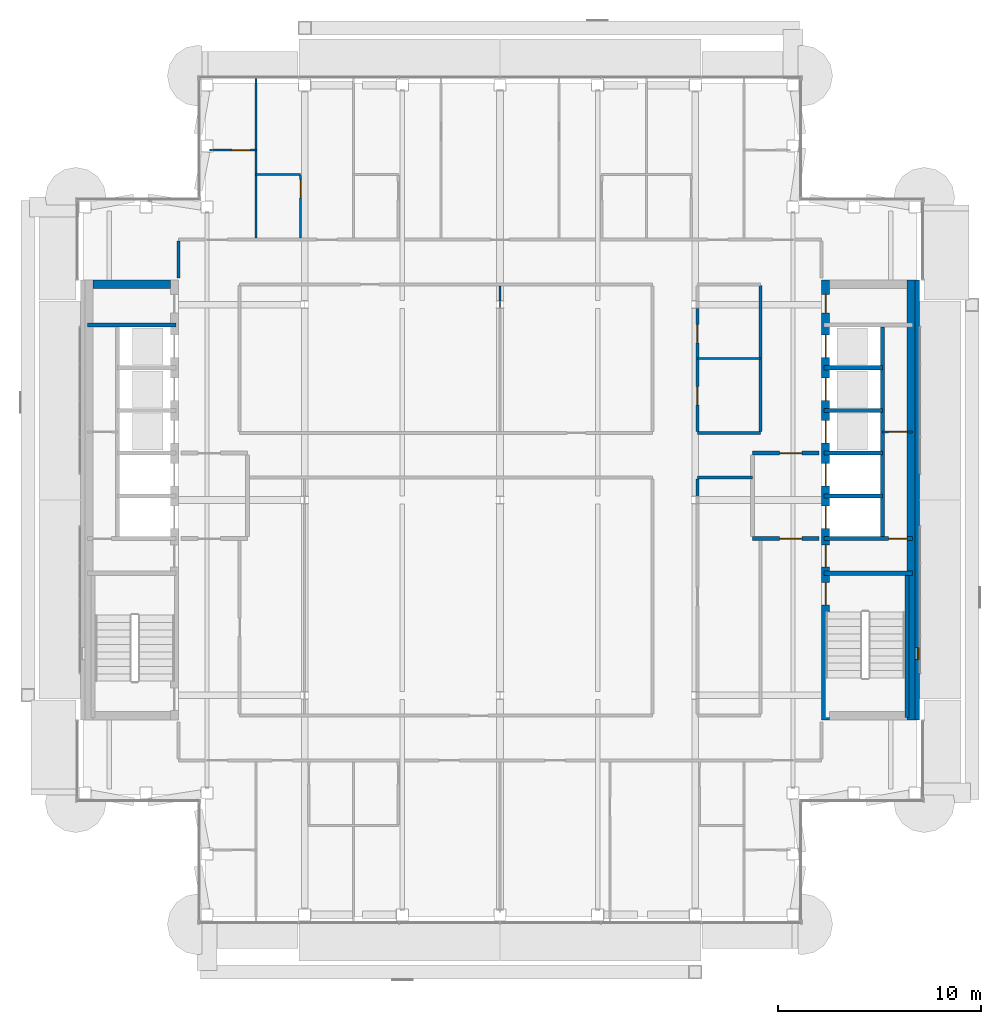
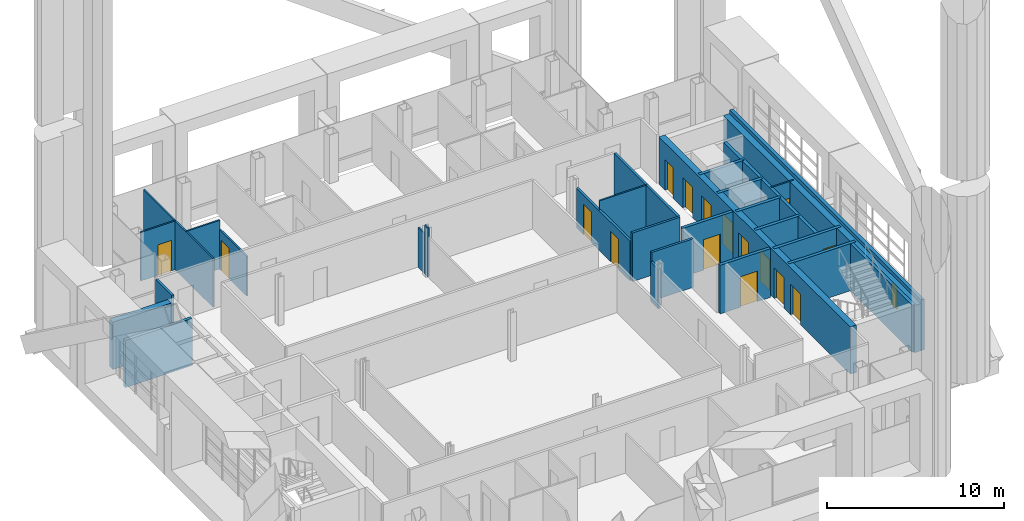
# One storey, part 15 of 29: 29 walls, 16 doors, 1 window, 17 openings.
"""IFC4 building model written with IfcOpenShell, lengths in metres."""

from ifc_helpers import new_model, si_unit, direction, frame, frame_2d, origin, place, context, subcontext, project, spatial, rectangle, extrude, material, layer, layer_set, type_object, element, fill, save


model = new_model("IFC4")

# Units and contexts
model_context = context("Model", 3, precision=1e-05, world=origin(), true_north=direction((0.0, 1.0)))
body_context = subcontext(model_context, "Body", "Model", "MODEL_VIEW")
ifc_project = project(units=[si_unit("LENGTHUNIT", "METRE"), si_unit("AREAUNIT", "SQUARE_METRE"), si_unit("VOLUMEUNIT", "CUBIC_METRE"), si_unit("PLANEANGLEUNIT", "RADIAN"), si_unit("MASSUNIT", "GRAM", prefix="KILO")], contexts=[model_context])

# Site, building, storey
site_placement = place(None, origin())
site = spatial("IfcSite", under=ifc_project, at=site_placement, CompositionType="ELEMENT")
building_placement = place(site_placement, origin())
building = spatial("IfcBuilding", under=site, at=building_placement, Name="Cobrizo Arcos Hotel Tower", CompositionType="ELEMENT")
storey_placement = place(building_placement, frame((0.0, 0.0, 241.0)))
storey = spatial("IfcBuildingStorey", under=building, at=storey_placement, Name="L63", CompositionType="ELEMENT", Elevation=241.0)

# Walls
ifc_material_1 = material(Name="Gypsum board partition")
ifc_layer_1 = layer(ifc_material_1, 0.14990234375)
ifc_layer_set_1 = layer_set([ifc_layer_1], Name="Corridor wall EI 60 150")
wall_type_1 = type_object("IfcWallType", Name="Corridor wall EI 60 150", PredefinedType="PARTITIONING", material=ifc_layer_set_1)
wall_1_placement = place(storey_placement, frame((9.699951171875, 1.10009765625, 0.0), z_axis=(0.0, 0.0, 1.0), x_axis=(1.0, 0.0, 0.0)))
element("IfcWall", 1, at=wall_1_placement, inside=storey, type_object=wall_type_1, Name="Partition 017", PredefinedType="PARTITIONING", context=body_context, shape_type="SweptSolid", body=[
    extrude(rectangle(XDim=2.699951171875, YDim=0.14990234375, at=frame_2d((1.35009765625, 0.0))), origin(), (0.0, 0.0, 1.0), 3.35009765625),
])
wall_2_placement = place(storey_placement, frame((9.699951171875, 3.300048828125, 0.0), z_axis=(0.0, 0.0, 1.0), x_axis=(1.0, 0.0, 0.0)))
element("IfcWall", 2, at=wall_2_placement, inside=storey, type_object=wall_type_1, Name="Partition 023", PredefinedType="PARTITIONING", context=body_context, shape_type="SweptSolid", body=[
    extrude(rectangle(XDim=3.10009765625, YDim=0.14990234375, at=frame_2d((1.550048828125, 0.0))), origin(), (0.0, 0.0, 1.0), 3.35009765625),
])
wall_3_placement = place(storey_placement, frame((-15.800048828125, 10.919921875, 0.0), z_axis=(0.0, 0.0, 1.0), x_axis=(0.0, 1.0, 0.0)))
element("IfcWall", 3, at=wall_3_placement, inside=storey, type_object=wall_type_1, Name="Partition 044", PredefinedType="PARTITIONING", context=body_context, shape_type="SweptSolid", body=[
    extrude(rectangle(XDim=1.80517578125, YDim=0.14990234375, at=frame_2d((0.902587890625, 0.0))), origin(), (0.0, 0.0, 1.0), 3.35009765625),
])
wall_4_placement = place(storey_placement, frame((9.699951171875, 0.18408203125, 0.0), z_axis=(0.0, 0.0, 1.0), x_axis=(0.0, 1.0, 0.0)))
element("IfcWall", 4, at=wall_4_placement, inside=storey, type_object=wall_type_1, Name="Partition 079", PredefinedType="PARTITIONING", context=body_context, shape_type="SweptSolid", body=[
    extrude(rectangle(XDim=0.8408203125, YDim=0.14990234375, at=frame_2d((0.42041015625, 0.0))), origin(), (0.0, 0.0, 1.0), 2.72802734375),
])

# Wall, openings, doors
wall_5_placement = place(storey_placement, frame((9.699951171875, 3.375, 0.0), z_axis=(0.0, 0.0, 1.0), x_axis=(0.0, 1.0, 0.0)))
wall_5 = element("IfcWall", 5, at=wall_5_placement, inside=storey, type_object=wall_type_1, Name="Partition 080", PredefinedType="PARTITIONING", context=body_context, shape_type="SweptSolid", body=[
    extrude(rectangle(XDim=6.041015625, YDim=0.14990234375, at=frame_2d((3.0205078125, 0.0))), origin(), (0.0, 0.0, 1.0), 2.72802734375),
])
opening_1_placement = place(wall_5_placement, frame((1.300048828125, 0.0, 0.0)))
opening_1 = element("IfcOpeningElement", 6, at=opening_1_placement, cuts=wall_5, Name="Opening ED-12", PredefinedType="OPENING", context=body_context, shape_type="SweptSolid", body=[
    extrude(rectangle(XDim=0.89990234375, YDim=2.10009765625, at=frame_2d((0.449951171875, 1.050048828125))), frame((0.0, 0.0869140625, 0.0), z_axis=(0.0, -1.0, 0.0), x_axis=(1.0, 0.0, 0.0)), (0.0, 0.0, 1.0), 0.173828125),
])
opening_2_placement = place(wall_5_placement, frame((4.35009765625, 0.0, 0.0)))
opening_2 = element("IfcOpeningElement", 7, at=opening_2_placement, cuts=wall_5, Name="Opening ED-13", PredefinedType="OPENING", context=body_context, shape_type="SweptSolid", body=[
    extrude(rectangle(XDim=0.89990234375, YDim=2.10009765625, at=frame_2d((0.449951171875, 1.050048828125))), frame((0.0, 0.0869140625, 0.0), z_axis=(0.0, -1.0, 0.0), x_axis=(1.0, 0.0, 0.0)), (0.0, 0.0, 1.0), 0.173828125),
])
ifc_material_2 = material(Name="Timber door leaf", Category="wood")
door_type_1 = type_object("IfcDoorType", Name="En-suite door 900x2100", OperationType="SINGLE_SWING_LEFT", PredefinedType="DOOR", material=ifc_material_2)
door_1_placement = place(opening_1_placement, origin())
door_1 = element("IfcDoor", 8, at=door_1_placement, inside=storey, type_object=door_type_1, Name="Door ED-12", OperationType="SINGLE_SWING_LEFT", OverallHeight=2.10009765625, OverallWidth=0.89990234375, PredefinedType="DOOR", context=body_context, shape_type="SweptSolid", body=[
    extrude(rectangle(XDim=0.89990234375, YDim=2.10009765625, at=frame_2d((0.449951171875, 1.050048828125))), frame((0.0, 0.02490234375, 0.0), z_axis=(0.0, -1.0, 0.0), x_axis=(1.0, 0.0, 0.0)), (0.0, 0.0, 1.0), 0.050048828125),
])
fill(opening_1, door_1)
door_2_placement = place(opening_2_placement, origin())
door_2 = element("IfcDoor", 9, at=door_2_placement, inside=storey, type_object=door_type_1, Name="Door ED-13", OperationType="SINGLE_SWING_RIGHT", OverallHeight=2.10009765625, OverallWidth=0.89990234375, PredefinedType="DOOR", context=body_context, shape_type="SweptSolid", body=[
    extrude(rectangle(XDim=0.89990234375, YDim=2.10009765625, at=frame_2d((0.449951171875, 1.050048828125))), frame((0.0, 0.02490234375, 0.0), z_axis=(0.0, -1.0, 0.0), x_axis=(1.0, 0.0, 0.0)), (0.0, 0.0, 1.0), 0.050048828125),
])
fill(opening_2, door_2)

# Wall
wall_6_placement = place(storey_placement, frame((12.800048828125, 3.375, 0.0), z_axis=(0.0, 0.0, 1.0), x_axis=(0.0, 1.0, 0.0)))
element("IfcWall", 10, at=wall_6_placement, inside=storey, type_object=wall_type_1, Name="Partition 088", PredefinedType="PARTITIONING", context=body_context, shape_type="SweptSolid", body=[
    extrude(rectangle(XDim=7.175048828125, YDim=0.14990234375, at=frame_2d((3.58740234375, 0.0))), origin(), (0.0, 0.0, 1.0), 3.35009765625),
])

# Wall, opening, window
ifc_material_3 = material(Name="Aluminium composite panel pale metal", Category="aluminium")
ifc_layer_2 = layer(ifc_material_3, 0.22509765625)
ifc_layer_set_2 = layer_set([ifc_layer_2], Name="EW-1 insulated panel wall 225")
wall_type_2 = type_object("IfcWallType", Name="EW-1 insulated panel wall 225", PredefinedType="SOLIDWALL", material=ifc_layer_set_2)
wall_7_placement = place(storey_placement, frame((20.512451171875, -10.800048828125, 0.0), z_axis=(0.0, 0.0, 1.0), x_axis=(0.0, 1.0, 0.0)))
wall_7 = element("IfcWall", 11, at=wall_7_placement, inside=storey, type_object=wall_type_2, Name="Core face wall L63 E", PredefinedType="SOLIDWALL", context=body_context, shape_type="SweptSolid", body=[
    extrude(rectangle(XDim=21.60009765625, YDim=0.22509765625, at=frame_2d((10.800048828125, 0.0))), origin(), (0.0, 0.0, 1.0), 3.5),
])
opening_3_placement = place(wall_7_placement, frame((2.949951171875, 0.0, 1.0)))
opening_3 = element("IfcOpeningElement", 12, at=opening_3_placement, cuts=wall_7, Name="Opening W-145", PredefinedType="OPENING", context=body_context, shape_type="SweptSolid", body=[
    extrude(rectangle(XDim=0.60009765625, YDim=1.5, at=frame_2d((0.300048828125, 0.75))), frame((0.0, 0.12451171875, 0.0), z_axis=(0.0, -1.0, 0.0), x_axis=(1.0, 0.0, 0.0)), (0.0, 0.0, 1.0), 0.2490234375),
])
ifc_material_4 = material(Name="Aluminium 6063-T6 and clear laminated glass", Category="aluminium")
window_type = type_object("IfcWindowType", Name="W-C1 core stair slot window 600x1500", PartitioningType="SINGLE_PANEL", PredefinedType="WINDOW", material=ifc_material_4)
window_placement = place(opening_3_placement, origin())
window = element("IfcWindow", 13, at=window_placement, inside=storey, type_object=window_type, Name="Core face wall L63 E window W-145", OverallHeight=1.5, OverallWidth=0.60009765625, PartitioningType="SINGLE_PANEL", PredefinedType="WINDOW", context=body_context, shape_type="SweptSolid", body=[
    extrude(rectangle(XDim=0.60009765625, YDim=1.5, at=frame_2d((0.300048828125, 0.75))), frame((0.0, -0.0224609375, 0.0), z_axis=(0.0, -1.0, 0.0), x_axis=(1.0, 0.0, 0.0)), (0.0, 0.0, 1.0), 0.06005859375),
])
fill(opening_3, window)

# Wall, opening, door
ifc_layer_3 = layer(ifc_material_1, 0.10009765625)
ifc_layer_set_3 = layer_set([ifc_layer_3], Name="Partition EI 30 100")
wall_type_3 = type_object("IfcWallType", Name="Partition EI 30 100", PredefinedType="PARTITIONING", material=ifc_layer_set_3)
wall_8_placement = place(storey_placement, frame((18.800048828125, 3.35009765625, 0.0), z_axis=(0.0, 0.0, 1.0), x_axis=(1.0, 0.0, 0.0)))
wall_8 = element("IfcWall", 14, at=wall_8_placement, inside=storey, type_object=wall_type_3, Name="Partition 025", PredefinedType="PARTITIONING", context=body_context, shape_type="SweptSolid", body=[
    extrude(rectangle(XDim=1.47998046875, YDim=0.10009765625, at=frame_2d((0.739990234375, 0.0))), origin(), (0.0, 0.0, 1.0), 3.25),
])
opening_4_placement = place(wall_8_placement, frame((0.300048828125, 0.0, 0.0)))
opening_4 = element("IfcOpeningElement", 15, at=opening_4_placement, cuts=wall_8, Name="Opening RD-06", PredefinedType="OPENING", context=body_context, shape_type="SweptSolid", body=[
    extrude(rectangle(XDim=0.89990234375, YDim=2.10009765625, at=frame_2d((0.449951171875, 1.050048828125))), frame((0.0, 0.06201171875, 0.0), z_axis=(0.0, -1.0, 0.0), x_axis=(1.0, 0.0, 0.0)), (0.0, 0.0, 1.0), 0.1240234375),
])
door_type_2 = type_object("IfcDoorType", Name="Room door FD30 900x2100", OperationType="SINGLE_SWING_LEFT", PredefinedType="DOOR", material=ifc_material_2)
door_3_placement = place(opening_4_placement, origin())
door_3 = element("IfcDoor", 16, at=door_3_placement, inside=storey, type_object=door_type_2, Name="Door RD-06", OperationType="SINGLE_SWING_RIGHT", OverallHeight=2.10009765625, OverallWidth=0.89990234375, PredefinedType="DOOR", context=body_context, shape_type="SweptSolid", body=[
    extrude(rectangle(XDim=0.89990234375, YDim=2.10009765625, at=frame_2d((0.449951171875, 1.050048828125))), frame((0.0, 0.02490234375, 0.0), z_axis=(0.0, -1.0, 0.0), x_axis=(1.0, 0.0, 0.0)), (0.0, 0.0, 1.0), 0.050048828125),
])
fill(opening_4, door_3)

# Walls
wall_9_placement = place(storey_placement, frame((9.699951171875, 6.949951171875, 0.0), z_axis=(0.0, 0.0, 1.0), x_axis=(1.0, 0.0, 0.0)))
element("IfcWall", 17, at=wall_9_placement, inside=storey, type_object=wall_type_3, Name="Partition 030", PredefinedType="PARTITIONING", context=body_context, shape_type="SweptSolid", body=[
    extrude(rectangle(XDim=3.10009765625, YDim=0.10009765625, at=frame_2d((1.550048828125, 0.0))), origin(), (0.0, 0.0, 1.0), 3.35009765625),
])
wall_10_placement = place(storey_placement, frame((-12.0, 16.0, 0.0), z_axis=(0.0, 0.0, 1.0), x_axis=(1.0, 0.0, 0.0)))
element("IfcWall", 18, at=wall_10_placement, inside=storey, type_object=wall_type_3, Name="Partition 036", PredefinedType="PARTITIONING", context=body_context, shape_type="SweptSolid", body=[
    extrude(rectangle(XDim=2.199951171875, YDim=0.10009765625, at=frame_2d((1.10009765625, 0.0))), origin(), (0.0, 0.0, 1.0), 3.35009765625),
])

# Wall, opening, door
wall_11_placement = place(storey_placement, frame((-14.280029296875, 17.199951171875, 0.0), z_axis=(0.0, 0.0, 1.0), x_axis=(1.0, 0.0, 0.0)))
wall_11 = element("IfcWall", 19, at=wall_11_placement, inside=storey, type_object=wall_type_3, Name="Partition 039", PredefinedType="PARTITIONING", context=body_context, shape_type="SweptSolid", body=[
    extrude(rectangle(XDim=2.280029296875, YDim=0.10009765625, at=frame_2d((1.14013671875, 0.0))), origin(), (0.0, 0.0, 1.0), 3.35009765625),
])
opening_5_placement = place(wall_11_placement, frame((1.110107421875, 0.0, 0.0)))
opening_5 = element("IfcOpeningElement", 20, at=opening_5_placement, cuts=wall_11, Name="Opening ED-09", PredefinedType="OPENING", context=body_context, shape_type="SweptSolid", body=[
    extrude(rectangle(XDim=0.89990234375, YDim=2.10009765625, at=frame_2d((0.449951171875, 1.050048828125))), frame((0.0, 0.06201171875, 0.0), z_axis=(0.0, -1.0, 0.0), x_axis=(1.0, 0.0, 0.0)), (0.0, 0.0, 1.0), 0.1240234375),
])
door_4_placement = place(opening_5_placement, origin())
door_4 = element("IfcDoor", 21, at=door_4_placement, inside=storey, type_object=door_type_1, Name="Door ED-09", OperationType="SINGLE_SWING_LEFT", OverallHeight=2.10009765625, OverallWidth=0.89990234375, PredefinedType="DOOR", context=body_context, shape_type="SweptSolid", body=[
    extrude(rectangle(XDim=0.89990234375, YDim=2.10009765625, at=frame_2d((0.449951171875, 1.050048828125))), frame((0.0, 0.02490234375, 0.0), z_axis=(0.0, -1.0, 0.0), x_axis=(1.0, 0.0, 0.0)), (0.0, 0.0, 1.0), 0.050048828125),
])
fill(opening_5, door_4)

# Wall
wall_12_placement = place(storey_placement, frame((-12.0, 12.875, 0.0), z_axis=(0.0, 0.0, 1.0), x_axis=(0.0, 1.0, 0.0)))
element("IfcWall", 22, at=wall_12_placement, inside=storey, type_object=wall_type_3, Name="Partition 049", PredefinedType="PARTITIONING", context=body_context, shape_type="SweptSolid", body=[
    extrude(rectangle(XDim=7.85498046875, YDim=0.10009765625, at=frame_2d((3.927490234375, 0.0))), origin(), (0.0, 0.0, 1.0), 3.35009765625),
])

# Wall, opening, door
wall_13_placement = place(storey_placement, frame((-9.800048828125, 12.875, 0.0), z_axis=(0.0, 0.0, 1.0), x_axis=(0.0, 1.0, 0.0)))
wall_13 = element("IfcWall", 23, at=wall_13_placement, inside=storey, type_object=wall_type_3, Name="Partition 050", PredefinedType="PARTITIONING", context=body_context, shape_type="SweptSolid", body=[
    extrude(rectangle(XDim=3.074951171875, YDim=0.10009765625, at=frame_2d((1.53759765625, 0.0))), origin(), (0.0, 0.0, 1.0), 2.72802734375),
])
opening_6_placement = place(wall_13_placement, frame((1.970947265625, 0.0, 0.0)))
opening_6 = element("IfcOpeningElement", 24, at=opening_6_placement, cuts=wall_13, Name="Opening ED-01", PredefinedType="OPENING", context=body_context, shape_type="SweptSolid", body=[
    extrude(rectangle(XDim=0.89990234375, YDim=2.10009765625, at=frame_2d((0.449951171875, 1.050048828125))), frame((0.0, 0.06201171875, 0.0), z_axis=(0.0, -1.0, 0.0), x_axis=(1.0, 0.0, 0.0)), (0.0, 0.0, 1.0), 0.1240234375),
])
door_5_placement = place(opening_6_placement, origin())
door_5 = element("IfcDoor", 25, at=door_5_placement, inside=storey, type_object=door_type_1, Name="Door ED-01", OperationType="SINGLE_SWING_LEFT", OverallHeight=2.10009765625, OverallWidth=0.89990234375, PredefinedType="DOOR", context=body_context, shape_type="SweptSolid", body=[
    extrude(rectangle(XDim=0.89990234375, YDim=2.10009765625, at=frame_2d((0.449951171875, 1.050048828125))), frame((0.0, 0.02490234375, 0.0), z_axis=(0.0, -1.0, 0.0), x_axis=(1.0, 0.0, 0.0)), (0.0, 0.0, 1.0), 0.050048828125),
])
fill(opening_6, door_5)

# Walls
wall_14_placement = place(storey_placement, frame((0.0, 9.416015625, 0.0), z_axis=(0.0, 0.0, 1.0), x_axis=(0.0, 1.0, 0.0)))
element("IfcWall", 26, at=wall_14_placement, inside=storey, type_object=wall_type_3, Name="Partition 065", PredefinedType="PARTITIONING", context=body_context, shape_type="SweptSolid", body=[
    extrude(rectangle(XDim=0.367919921875, YDim=0.10009765625, at=frame_2d((0.18408203125, 0.0))), origin(), (0.0, 0.0, 1.0), 3.35009765625),
])
wall_15_placement = place(storey_placement, frame((0.0, 9.783935546875, 0.0), z_axis=(0.0, 0.0, 1.0), x_axis=(0.0, 1.0, 0.0)))
element("IfcWall", 27, at=wall_15_placement, inside=storey, type_object=wall_type_3, Name="Partition 066", PredefinedType="PARTITIONING", context=body_context, shape_type="SweptSolid", body=[
    extrude(rectangle(XDim=0.740966796875, YDim=0.10009765625, at=frame_2d((0.37060546875, 0.0))), origin(), (0.0, 0.0, 1.0), 2.72802734375),
])

# Wall, openings, doors
ifc_material_5 = material(Name="Concrete f'c 40 MPa", Category="concrete")
ifc_layer_4 = layer(ifc_material_5, 0.39990234375)
ifc_layer_set_4 = layer_set([ifc_layer_4], Name="RC core wall 400 f'c 40")
wall_type_4 = type_object("IfcWallType", Name="RC core wall 400 f'c 40", PredefinedType="SHEAR", material=ifc_layer_set_4)
wall_16_placement = place(storey_placement, frame((16.0, -10.800048828125, 0.0), z_axis=(0.0, 0.0, 1.0), x_axis=(0.0, 1.0, 0.0)))
wall_16 = element("IfcWall", 28, at=wall_16_placement, inside=storey, type_object=wall_type_4, Name="Core wall CW4, east core, inner face, L63", PredefinedType="SHEAR", context=body_context, shape_type="SweptSolid", body=[
    extrude(rectangle(XDim=21.60009765625, YDim=0.39990234375, at=frame_2d((10.800048828125, 0.0))), origin(), (0.0, 0.0, 1.0), 3.25),
])
opening_7_placement = place(wall_16_placement, frame((9.39990234375, 0.0, 0.0)))
opening_7 = element("IfcOpeningElement", 29, at=opening_7_placement, cuts=wall_16, Name="Opening LD-06", PredefinedType="OPENING", context=body_context, shape_type="SweptSolid", body=[
    extrude(rectangle(XDim=1.10009765625, YDim=2.10009765625, at=frame_2d((0.550048828125, 1.050048828125))), frame((0.0, 0.2119140625, 0.0), z_axis=(0.0, -1.0, 0.0), x_axis=(1.0, 0.0, 0.0)), (0.0, 0.0, 1.0), 0.423828125),
])
opening_8_placement = place(wall_16_placement, frame((11.5, 0.0, 0.0)))
opening_8 = element("IfcOpeningElement", 30, at=opening_8_placement, cuts=wall_16, Name="Opening LD-07", PredefinedType="OPENING", context=body_context, shape_type="SweptSolid", body=[
    extrude(rectangle(XDim=1.10009765625, YDim=2.10009765625, at=frame_2d((0.550048828125, 1.050048828125))), frame((0.0, 0.2119140625, 0.0), z_axis=(0.0, -1.0, 0.0), x_axis=(1.0, 0.0, 0.0)), (0.0, 0.0, 1.0), 0.423828125),
])
opening_9_placement = place(wall_16_placement, frame((13.60009765625, 0.0, 0.0)))
opening_9 = element("IfcOpeningElement", 31, at=opening_9_placement, cuts=wall_16, Name="Opening LD-08", PredefinedType="OPENING", context=body_context, shape_type="SweptSolid", body=[
    extrude(rectangle(XDim=1.10009765625, YDim=2.10009765625, at=frame_2d((0.550048828125, 1.050048828125))), frame((0.0, 0.2119140625, 0.0), z_axis=(0.0, -1.0, 0.0), x_axis=(1.0, 0.0, 0.0)), (0.0, 0.0, 1.0), 0.423828125),
])
opening_10_placement = place(wall_16_placement, frame((15.699951171875, 0.0, 0.0)))
opening_10 = element("IfcOpeningElement", 32, at=opening_10_placement, cuts=wall_16, Name="Opening LD-09", PredefinedType="OPENING", context=body_context, shape_type="SweptSolid", body=[
    extrude(rectangle(XDim=1.10009765625, YDim=2.10009765625, at=frame_2d((0.550048828125, 1.050048828125))), frame((0.0, 0.2119140625, 0.0), z_axis=(0.0, -1.0, 0.0), x_axis=(1.0, 0.0, 0.0)), (0.0, 0.0, 1.0), 0.423828125),
])
opening_11_placement = place(wall_16_placement, frame((17.800048828125, 0.0, 0.0)))
opening_11 = element("IfcOpeningElement", 33, at=opening_11_placement, cuts=wall_16, Name="Opening LD-10", PredefinedType="OPENING", context=body_context, shape_type="SweptSolid", body=[
    extrude(rectangle(XDim=1.10009765625, YDim=2.10009765625, at=frame_2d((0.550048828125, 1.050048828125))), frame((0.0, 0.2119140625, 0.0), z_axis=(0.0, -1.0, 0.0), x_axis=(1.0, 0.0, 0.0)), (0.0, 0.0, 1.0), 0.423828125),
])
opening_12_placement = place(wall_16_placement, frame((5.64208984375, 0.0, 0.0)))
opening_12 = element("IfcOpeningElement", 34, at=opening_12_placement, cuts=wall_16, Name="Opening SD-02", PredefinedType="OPENING", context=body_context, shape_type="SweptSolid", body=[
    extrude(rectangle(XDim=1.10009765625, YDim=2.10009765625, at=frame_2d((0.550048828125, 1.050048828125))), frame((0.0, 0.2119140625, 0.0), z_axis=(0.0, -1.0, 0.0), x_axis=(1.0, 0.0, 0.0)), (0.0, 0.0, 1.0), 0.423828125),
])
opening_13_placement = place(wall_16_placement, frame((7.5, 0.0, 0.0)))
opening_13 = element("IfcOpeningElement", 35, at=opening_13_placement, cuts=wall_16, Name="Opening FD-04", PredefinedType="OPENING", context=body_context, shape_type="SweptSolid", body=[
    extrude(rectangle(XDim=1.10009765625, YDim=2.10009765625, at=frame_2d((0.550048828125, 1.050048828125))), frame((0.0, 0.2119140625, 0.0), z_axis=(0.0, -1.0, 0.0), x_axis=(1.0, 0.0, 0.0)), (0.0, 0.0, 1.0), 0.423828125),
])
opening_14_placement = place(wall_16_placement, frame((20.0, 0.0, 0.0)))
opening_14 = element("IfcOpeningElement", 36, at=opening_14_placement, cuts=wall_16, Name="Opening RD-04", PredefinedType="OPENING", context=body_context, shape_type="SweptSolid", body=[
    extrude(rectangle(XDim=0.89990234375, YDim=2.10009765625, at=frame_2d((0.449951171875, 1.050048828125))), frame((0.0, 0.2119140625, 0.0), z_axis=(0.0, -1.0, 0.0), x_axis=(1.0, 0.0, 0.0)), (0.0, 0.0, 1.0), 0.423828125),
])
ifc_material_6 = material(Name="Steel door leaf", Category="steel")
door_type_3 = type_object("IfcDoorType", Name="Fire door FD60 1100x2100", OperationType="SINGLE_SWING_LEFT", PredefinedType="DOOR", material=ifc_material_6)
door_6_placement = place(opening_13_placement, origin())
door_6 = element("IfcDoor", 37, at=door_6_placement, inside=storey, type_object=door_type_3, Name="Door FD-04", OperationType="SINGLE_SWING_RIGHT", OverallHeight=2.10009765625, OverallWidth=1.10009765625, PredefinedType="DOOR", context=body_context, shape_type="SweptSolid", body=[
    extrude(rectangle(XDim=1.10009765625, YDim=2.10009765625, at=frame_2d((0.550048828125, 1.050048828125))), frame((0.0, 0.02490234375, 0.0), z_axis=(0.0, -1.0, 0.0), x_axis=(1.0, 0.0, 0.0)), (0.0, 0.0, 1.0), 0.050048828125),
])
fill(opening_13, door_6)
door_type_4 = type_object("IfcDoorType", Name="Lift landing door 1100x2100", OperationType="SLIDING_TO_LEFT", PredefinedType="DOOR", material=ifc_material_6)
door_7_placement = place(opening_7_placement, origin())
door_7 = element("IfcDoor", 38, at=door_7_placement, inside=storey, type_object=door_type_4, Name="Lift landing door LD-06", OperationType="SLIDING_TO_LEFT", OverallHeight=2.10009765625, OverallWidth=1.10009765625, PredefinedType="DOOR", context=body_context, shape_type="SweptSolid", body=[
    extrude(rectangle(XDim=1.10009765625, YDim=2.10009765625, at=frame_2d((0.550048828125, 1.050048828125))), frame((0.0, 0.02490234375, 0.0), z_axis=(0.0, -1.0, 0.0), x_axis=(1.0, 0.0, 0.0)), (0.0, 0.0, 1.0), 0.050048828125),
])
fill(opening_7, door_7)
door_8_placement = place(opening_8_placement, origin())
door_8 = element("IfcDoor", 39, at=door_8_placement, inside=storey, type_object=door_type_4, Name="Lift landing door LD-07", OperationType="SLIDING_TO_LEFT", OverallHeight=2.10009765625, OverallWidth=1.10009765625, PredefinedType="DOOR", context=body_context, shape_type="SweptSolid", body=[
    extrude(rectangle(XDim=1.10009765625, YDim=2.10009765625, at=frame_2d((0.550048828125, 1.050048828125))), frame((0.0, 0.02490234375, 0.0), z_axis=(0.0, -1.0, 0.0), x_axis=(1.0, 0.0, 0.0)), (0.0, 0.0, 1.0), 0.050048828125),
])
fill(opening_8, door_8)
door_9_placement = place(opening_9_placement, origin())
door_9 = element("IfcDoor", 40, at=door_9_placement, inside=storey, type_object=door_type_4, Name="Lift landing door LD-08", OperationType="SLIDING_TO_LEFT", OverallHeight=2.10009765625, OverallWidth=1.10009765625, PredefinedType="DOOR", context=body_context, shape_type="SweptSolid", body=[
    extrude(rectangle(XDim=1.10009765625, YDim=2.10009765625, at=frame_2d((0.550048828125, 1.050048828125))), frame((0.0, 0.02490234375, 0.0), z_axis=(0.0, -1.0, 0.0), x_axis=(1.0, 0.0, 0.0)), (0.0, 0.0, 1.0), 0.050048828125),
])
fill(opening_9, door_9)
door_10_placement = place(opening_10_placement, origin())
door_10 = element("IfcDoor", 41, at=door_10_placement, inside=storey, type_object=door_type_4, Name="Lift landing door LD-09", OperationType="SLIDING_TO_LEFT", OverallHeight=2.10009765625, OverallWidth=1.10009765625, PredefinedType="DOOR", context=body_context, shape_type="SweptSolid", body=[
    extrude(rectangle(XDim=1.10009765625, YDim=2.10009765625, at=frame_2d((0.550048828125, 1.050048828125))), frame((0.0, 0.02490234375, 0.0), z_axis=(0.0, -1.0, 0.0), x_axis=(1.0, 0.0, 0.0)), (0.0, 0.0, 1.0), 0.050048828125),
])
fill(opening_10, door_10)
door_11_placement = place(opening_11_placement, origin())
door_11 = element("IfcDoor", 42, at=door_11_placement, inside=storey, type_object=door_type_4, Name="Lift landing door LD-10", OperationType="SLIDING_TO_LEFT", OverallHeight=2.10009765625, OverallWidth=1.10009765625, PredefinedType="DOOR", context=body_context, shape_type="SweptSolid", body=[
    extrude(rectangle(XDim=1.10009765625, YDim=2.10009765625, at=frame_2d((0.550048828125, 1.050048828125))), frame((0.0, 0.02490234375, 0.0), z_axis=(0.0, -1.0, 0.0), x_axis=(1.0, 0.0, 0.0)), (0.0, 0.0, 1.0), 0.050048828125),
])
fill(opening_11, door_11)
door_12_placement = place(opening_14_placement, origin())
door_12 = element("IfcDoor", 43, at=door_12_placement, inside=storey, type_object=door_type_2, Name="Door RD-04", OperationType="SINGLE_SWING_LEFT", OverallHeight=2.10009765625, OverallWidth=0.89990234375, PredefinedType="DOOR", context=body_context, shape_type="SweptSolid", body=[
    extrude(rectangle(XDim=0.89990234375, YDim=2.10009765625, at=frame_2d((0.449951171875, 1.050048828125))), frame((0.0, 0.02490234375, 0.0), z_axis=(0.0, -1.0, 0.0), x_axis=(1.0, 0.0, 0.0)), (0.0, 0.0, 1.0), 0.050048828125),
])
fill(opening_14, door_12)
door_type_5 = type_object("IfcDoorType", Name="Stair door FD60S 1100x2100", OperationType="SINGLE_SWING_LEFT", PredefinedType="DOOR", material=ifc_material_6)
door_13_placement = place(opening_12_placement, origin())
door_13 = element("IfcDoor", 44, at=door_13_placement, inside=storey, type_object=door_type_5, Name="Door SD-02", OperationType="SINGLE_SWING_RIGHT", OverallHeight=2.10009765625, OverallWidth=1.10009765625, PredefinedType="DOOR", context=body_context, shape_type="SweptSolid", body=[
    extrude(rectangle(XDim=1.10009765625, YDim=2.10009765625, at=frame_2d((0.550048828125, 1.050048828125))), frame((0.0, 0.02490234375, 0.0), z_axis=(0.0, -1.0, 0.0), x_axis=(1.0, 0.0, 0.0)), (0.0, 0.0, 1.0), 0.050048828125),
])
fill(opening_12, door_13)

# Walls
wall_17_placement = place(storey_placement, frame((20.199951171875, -10.800048828125, 0.0), z_axis=(0.0, 0.0, 1.0), x_axis=(0.0, 1.0, 0.0)))
element("IfcWall", 45, at=wall_17_placement, inside=storey, type_object=wall_type_4, Name="Core wall CW4, east core, outer face, L63", PredefinedType="SHEAR", context=body_context, shape_type="SweptSolid", body=[
    extrude(rectangle(XDim=21.60009765625, YDim=0.39990234375, at=frame_2d((10.800048828125, 0.0))), origin(), (0.0, 0.0, 1.0), 3.25),
])
wall_18_placement = place(storey_placement, frame((-20.0, 10.60009765625, 0.0), z_axis=(0.0, 0.0, 1.0), x_axis=(1.0, 0.0, 0.0)))
element("IfcWall", 46, at=wall_18_placement, inside=storey, type_object=wall_type_4, Name="Core wall CW4, west core, north end, L63", PredefinedType="SHEAR", context=body_context, shape_type="SweptSolid", body=[
    extrude(rectangle(XDim=3.800048828125, YDim=0.39990234375, at=frame_2d((1.89990234375, 0.0))), origin(), (0.0, 0.0, 1.0), 3.25),
])

# Wall, opening, door
ifc_layer_5 = layer(ifc_material_1, 0.199951171875)
ifc_layer_set_5 = layer_set([ifc_layer_5], Name="Shaft wall EI 120 200")
wall_type_5 = type_object("IfcWallType", Name="Shaft wall EI 120 200", PredefinedType="PARTITIONING", material=ifc_layer_set_5)
wall_19_placement = place(storey_placement, frame((12.39990234375, -1.89990234375, 0.0), z_axis=(0.0, 0.0, 1.0), x_axis=(1.0, 0.0, 0.0)))
wall_19 = element("IfcWall", 47, at=wall_19_placement, inside=storey, type_object=wall_type_5, Name="Partition 012", PredefinedType="PARTITIONING", context=body_context, shape_type="SweptSolid", body=[
    extrude(rectangle(XDim=3.280029296875, YDim=0.199951171875, at=frame_2d((1.64013671875, 0.0))), origin(), (0.0, 0.0, 1.0), 3.35009765625),
])
opening_15_placement = place(wall_19_placement, frame((1.340087890625, 0.0, 0.0)))
opening_15 = element("IfcOpeningElement", 48, at=opening_15_placement, cuts=wall_19, Name="Opening FD-05", PredefinedType="OPENING", context=body_context, shape_type="SweptSolid", body=[
    extrude(rectangle(XDim=1.10009765625, YDim=2.10009765625, at=frame_2d((0.550048828125, 1.050048828125))), frame((0.0, 0.112060546875, 0.0), z_axis=(0.0, -1.0, 0.0), x_axis=(1.0, 0.0, 0.0)), (0.0, 0.0, 1.0), 0.223876953125),
])
door_14_placement = place(opening_15_placement, origin())
door_14 = element("IfcDoor", 49, at=door_14_placement, inside=storey, type_object=door_type_3, Name="Door FD-05", OperationType="SINGLE_SWING_LEFT", OverallHeight=2.10009765625, OverallWidth=1.10009765625, PredefinedType="DOOR", context=body_context, shape_type="SweptSolid", body=[
    extrude(rectangle(XDim=1.10009765625, YDim=2.10009765625, at=frame_2d((0.550048828125, 1.050048828125))), frame((0.0, 0.02490234375, 0.0), z_axis=(0.0, -1.0, 0.0), x_axis=(1.0, 0.0, 0.0)), (0.0, 0.0, 1.0), 0.050048828125),
])
fill(opening_15, door_14)

wall_20_placement = place(storey_placement, frame((15.919921875, -1.89990234375, 0.0), z_axis=(0.0, 0.0, 1.0), x_axis=(1.0, 0.0, 0.0)))
wall_20 = element("IfcWall", 50, at=wall_20_placement, inside=storey, type_object=wall_type_5, Name="Partition 013", PredefinedType="PARTITIONING", context=body_context, shape_type="SweptSolid", body=[
    extrude(rectangle(XDim=4.360107421875, YDim=0.199951171875, at=frame_2d((2.18017578125, 0.0))), origin(), (0.0, 0.0, 1.0), 3.25),
])
opening_16_placement = place(wall_20_placement, frame((3.179931640625, 0.0, 0.0)))
opening_16 = element("IfcOpeningElement", 51, at=opening_16_placement, cuts=wall_20, Name="Opening RD-05", PredefinedType="OPENING", context=body_context, shape_type="SweptSolid", body=[
    extrude(rectangle(XDim=0.89990234375, YDim=2.10009765625, at=frame_2d((0.449951171875, 1.050048828125))), frame((0.0, 0.112060546875, 0.0), z_axis=(0.0, -1.0, 0.0), x_axis=(1.0, 0.0, 0.0)), (0.0, 0.0, 1.0), 0.223876953125),
])
door_15_placement = place(opening_16_placement, origin())
door_15 = element("IfcDoor", 52, at=door_15_placement, inside=storey, type_object=door_type_2, Name="Door RD-05", OperationType="SINGLE_SWING_RIGHT", OverallHeight=2.10009765625, OverallWidth=0.89990234375, PredefinedType="DOOR", context=body_context, shape_type="SweptSolid", body=[
    extrude(rectangle(XDim=0.89990234375, YDim=2.10009765625, at=frame_2d((0.449951171875, 1.050048828125))), frame((0.0, 0.02490234375, 0.0), z_axis=(0.0, -1.0, 0.0), x_axis=(1.0, 0.0, 0.0)), (0.0, 0.0, 1.0), 0.050048828125),
])
fill(opening_16, door_15)

# Wall
wall_21_placement = place(storey_placement, frame((15.919921875, 0.199951171875, 0.0), z_axis=(0.0, 0.0, 1.0), x_axis=(1.0, 0.0, 0.0)))
element("IfcWall", 53, at=wall_21_placement, inside=storey, type_object=wall_type_5, Name="Partition 015", PredefinedType="PARTITIONING", context=body_context, shape_type="SweptSolid", body=[
    extrude(rectangle(XDim=2.880126953125, YDim=0.199951171875, at=frame_2d((1.43994140625, 0.0))), origin(), (0.0, 0.0, 1.0), 3.25),
])

# Wall, opening, door
wall_22_placement = place(storey_placement, frame((12.39990234375, 2.300048828125, 0.0), z_axis=(0.0, 0.0, 1.0), x_axis=(1.0, 0.0, 0.0)))
wall_22 = element("IfcWall", 54, at=wall_22_placement, inside=storey, type_object=wall_type_5, Name="Partition 020", PredefinedType="PARTITIONING", context=body_context, shape_type="SweptSolid", body=[
    extrude(rectangle(XDim=3.280029296875, YDim=0.199951171875, at=frame_2d((1.64013671875, 0.0))), origin(), (0.0, 0.0, 1.0), 3.35009765625),
])
opening_17_placement = place(wall_22_placement, frame((1.340087890625, 0.0, 0.0)))
opening_17 = element("IfcOpeningElement", 55, at=opening_17_placement, cuts=wall_22, Name="Opening FD-06", PredefinedType="OPENING", context=body_context, shape_type="SweptSolid", body=[
    extrude(rectangle(XDim=1.10009765625, YDim=2.10009765625, at=frame_2d((0.550048828125, 1.050048828125))), frame((0.0, 0.112060546875, 0.0), z_axis=(0.0, -1.0, 0.0), x_axis=(1.0, 0.0, 0.0)), (0.0, 0.0, 1.0), 0.223876953125),
])
door_16_placement = place(opening_17_placement, origin())
door_16 = element("IfcDoor", 56, at=door_16_placement, inside=storey, type_object=door_type_3, Name="Door FD-06", OperationType="SINGLE_SWING_LEFT", OverallHeight=2.10009765625, OverallWidth=1.10009765625, PredefinedType="DOOR", context=body_context, shape_type="SweptSolid", body=[
    extrude(rectangle(XDim=1.10009765625, YDim=2.10009765625, at=frame_2d((0.550048828125, 1.050048828125))), frame((0.0, 0.02490234375, 0.0), z_axis=(0.0, -1.0, 0.0), x_axis=(1.0, 0.0, 0.0)), (0.0, 0.0, 1.0), 0.050048828125),
])
fill(opening_17, door_16)

# Walls
for number, where, z_axis, x_axis, name in (
    (57, (15.919921875, 2.300048828125, 0.0), (0.0, 0.0, 1.0), (1.0, 0.0, 0.0), "Partition 021"),
    (58, (15.919921875, 4.39990234375, 0.0), (0.0, 0.0, 1.0), (1.0, 0.0, 0.0), "Partition 027"),
    (59, (15.919921875, 6.5, 0.0), (0.0, 0.0, 1.0), (1.0, 0.0, 0.0), "Partition 029"),
):
    element("IfcWall", number, at=place(storey_placement, frame(where, z_axis=z_axis, x_axis=x_axis)), inside=storey, type_object=wall_type_5, Name=name, PredefinedType="PARTITIONING", context=body_context, shape_type="SweptSolid", body=[
        extrude(rectangle(XDim=2.880126953125, YDim=0.199951171875, at=frame_2d((1.43994140625, 0.0))), origin(), (0.0, 0.0, 1.0), 3.25),
    ])
wall_23_placement = place(storey_placement, frame((-20.280029296875, 8.60009765625, 0.0), z_axis=(0.0, 0.0, 1.0), x_axis=(1.0, 0.0, 0.0)))
element("IfcWall", 60, at=wall_23_placement, inside=storey, type_object=wall_type_5, Name="Partition 031", PredefinedType="PARTITIONING", context=body_context, shape_type="SweptSolid", body=[
    extrude(rectangle(XDim=4.360107421875, YDim=0.199951171875, at=frame_2d((2.18017578125, 0.0))), origin(), (0.0, 0.0, 1.0), 3.25),
])
wall_24_placement = place(storey_placement, frame((18.800048828125, -1.800048828125, 0.0), z_axis=(0.0, 0.0, 1.0), x_axis=(0.0, 1.0, 0.0)))
element("IfcWall", 61, at=wall_24_placement, inside=storey, type_object=wall_type_5, Name="Partition 091", PredefinedType="PARTITIONING", context=body_context, shape_type="SweptSolid", body=[
    extrude(rectangle(XDim=10.300048828125, YDim=0.199951171875, at=frame_2d((5.14990234375, 0.0))), origin(), (0.0, 0.0, 1.0), 3.25),
])
ifc_layer_6 = layer(ifc_material_5, 0.199951171875)
ifc_layer_set_6 = layer_set([ifc_layer_6], Name="Stair shaft wall 200")
wall_type_6 = type_object("IfcWallType", Name="Stair shaft wall 200", PredefinedType="SHEAR", material=ifc_layer_set_6)
wall_25_placement = place(storey_placement, frame((15.919921875, -3.60009765625, 0.0), z_axis=(0.0, 0.0, 1.0), x_axis=(1.0, 0.0, 0.0)))
element("IfcWall", 62, at=wall_25_placement, inside=storey, type_object=wall_type_6, Name="Stair shaft wall E", PredefinedType="SHEAR", context=body_context, shape_type="SweptSolid", body=[
    extrude(rectangle(XDim=4.360107421875, YDim=0.199951171875, at=frame_2d((2.18017578125, 0.0))), origin(), (0.0, 0.0, 1.0), 3.25),
])
wall_26_placement = place(storey_placement, frame((20.0, -10.679931640625, 0.0), z_axis=(0.0, 0.0, 1.0), x_axis=(0.0, 1.0, 0.0)))
element("IfcWall", 63, at=wall_26_placement, inside=storey, type_object=wall_type_6, Name="Stair shaft wall E", PredefinedType="SHEAR", context=body_context, shape_type="SweptSolid", body=[
    extrude(rectangle(XDim=6.97998046875, YDim=0.199951171875, at=frame_2d((3.489990234375, 0.0))), origin(), (0.0, 0.0, 1.0), 3.25),
])

save(model, "model.ifc")
